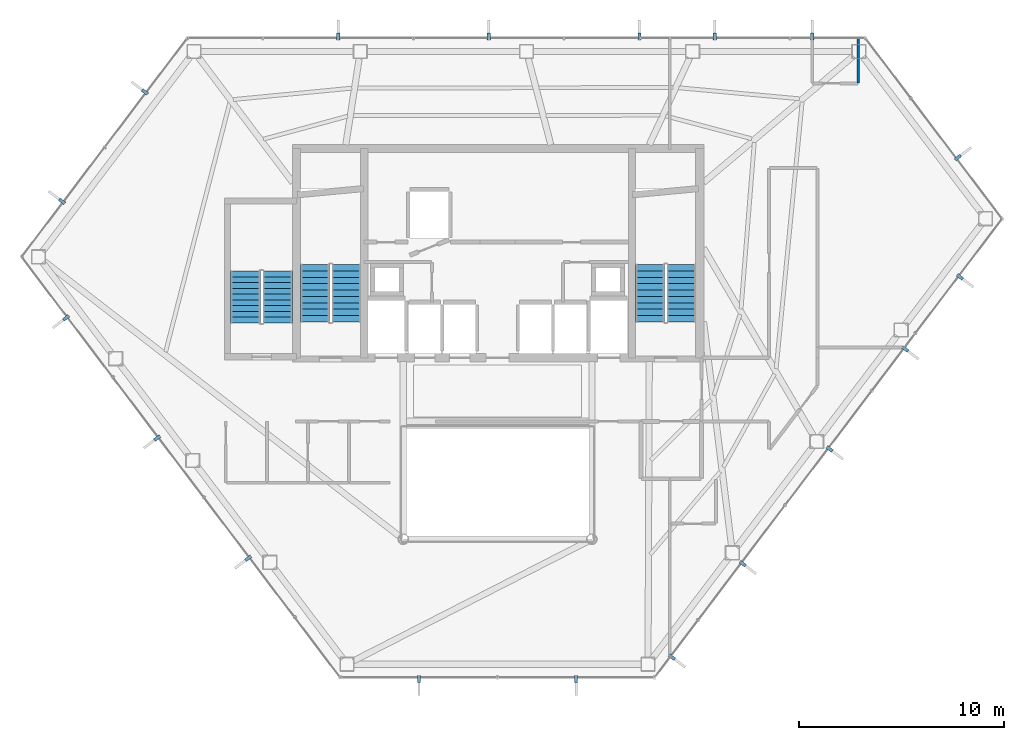
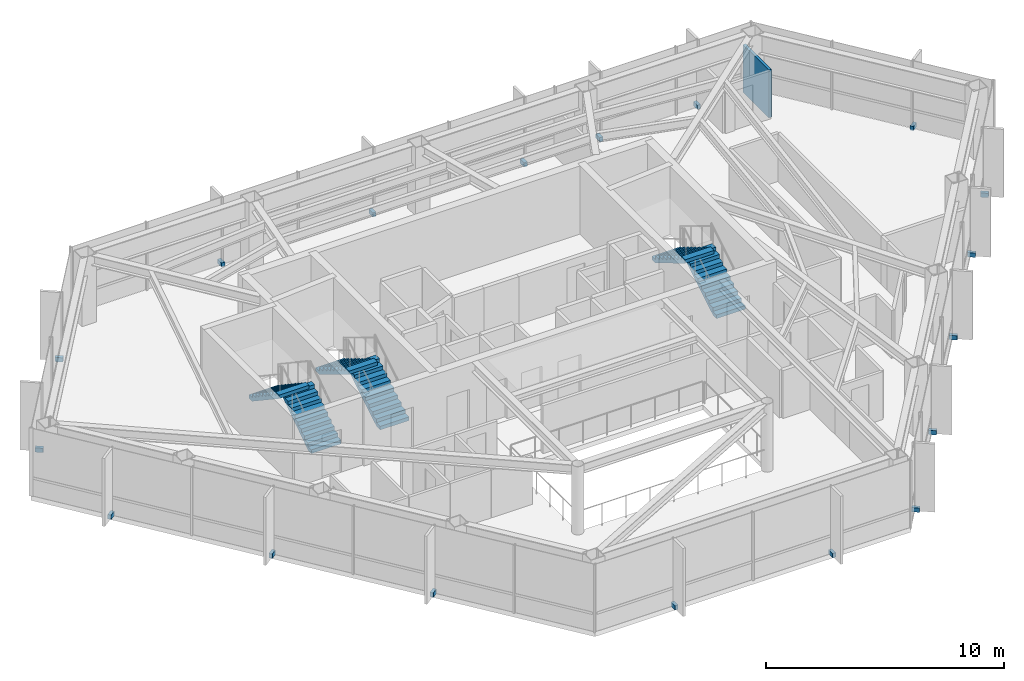
# One storey, part 27 of 28: 18 discrete accessories, 6 stair flights, 1 wall, 3 elements without a shape of their own.
"""IFC4 building model written with IfcOpenShell, lengths in metres."""

from ifc_helpers import new_model, si_unit, direction, frame, frame_2d, origin, origin_2d, place, context, subcontext, project, spatial, polyline, rectangle, outline, extrude, material, layer, layer_set, type_object, element, aggregate, save


model = new_model("IFC4")

# Units and contexts
model_context = context("Model", 3, precision=1e-05, world=origin(), true_north=direction((0.0, 1.0)))
body_context = subcontext(model_context, "Body", "Model", "MODEL_VIEW")
ifc_project = project(units=[si_unit("LENGTHUNIT", "METRE"), si_unit("AREAUNIT", "SQUARE_METRE"), si_unit("VOLUMEUNIT", "CUBIC_METRE"), si_unit("PLANEANGLEUNIT", "RADIAN"), si_unit("MASSUNIT", "GRAM", prefix="KILO")], contexts=[model_context])

# Site, building, storey
site_placement = place(None, origin())
site = spatial("IfcSite", under=ifc_project, at=site_placement, CompositionType="ELEMENT")
building_placement = place(site_placement, origin())
building = spatial("IfcBuilding", under=site, at=building_placement, Name="Zarrinselat Tower", CompositionType="ELEMENT")
storey_placement = place(building_placement, frame((0.0, 0.0, 164.56005859375)))
storey = spatial("IfcBuildingStorey", under=building, at=storey_placement, Name="L40", CompositionType="ELEMENT", Elevation=164.56005859375)

# Wall
ifc_material_1 = material(Name="Fire-Rated Gypsum Board Partition", Category="gypsum")
ifc_layer = layer(ifc_material_1, 0.135009765625)
ifc_layer_set = layer_set([ifc_layer], Name="Fire-Rated Gypsum Board Partition")
wall_type = type_object("IfcWallType", Name="WAL-PART-WET", PredefinedType="PARTITIONING", material=ifc_layer_set)
wall_placement = place(storey_placement, frame((55.99609375, 46.64892578125, 0.0), z_axis=(0.0, 0.0, 1.0), x_axis=(0.0, 1.0, 0.0)))
element("IfcWall", 1, at=wall_placement, inside=storey, type_object=wall_type, Name="L40 Partition Wall 45", PredefinedType="PARTITIONING", context=body_context, shape_type="SweptSolid", body=[
    extrude(rectangle(XDim=2.175048828125, YDim=0.135009765625, at=frame_2d((1.08740234375, 0.0))), origin(), (0.0, 0.0, 1.0), 2.45703125),
])

# Stair, stair flights
ifc_material_2 = material(Name="Concrete C40/50", Category="concrete")
stair_type_1 = type_object("IfcStairType", Name="STR-CORE-145", PredefinedType="HALF_TURN_STAIR", material=ifc_material_2)
stair_1_placement = place(storey_placement, origin())
stair_1 = element("IfcStair", 2, at=stair_1_placement, inside=storey, type_object=stair_type_1, Name="L40 Podium & Mid-Tower Exit Stair 3", PredefinedType="HALF_TURN_STAIR")
ifc_material_3 = material(Name="Concrete C40/50", Category="concrete")
stair_flight_type_1 = type_object("IfcStairFlightType", Name="STR-FLT-145", PredefinedType="STRAIGHT", material=ifc_material_3)
stair_flight_1_placement = place(storey_placement, frame((27.675048828125, 34.949951171875, 0.0), z_axis=(0.0, 0.0, 1.0), x_axis=(0.0, 1.0, 0.0)))
stair_flight_1 = element("IfcStairFlight", 3, at=stair_flight_1_placement, type_object=stair_flight_type_1, Name="ST-3 flight 1", NumberOfRisers=10, NumberOfTreads=9, PredefinedType="STRAIGHT", RiserHeight=0.187, TreadLength=0.28, context=body_context, shape_type="SweptSolid", body=[
    extrude(outline(polyline([(0.0, 0.0), (0.0, 0.18701171875), (0.280029296875, 0.18701171875), (0.280029296875, 0.3740234375), (0.56005859375, 0.3740234375), (0.56005859375, 0.56103515625), (0.840087890625, 0.56103515625), (0.840087890625, 0.748046875), (1.1201171875, 0.748046875), (1.1201171875, 0.93505859375), (1.39990234375, 0.93505859375), (1.39990234375, 1.1220703125), (1.679931640625, 1.1220703125), (1.679931640625, 1.30908203125), (1.9599609375, 1.30908203125), (1.9599609375, 1.49609375), (2.239990234375, 1.49609375), (2.239990234375, 1.68310546875), (2.52001953125, 1.68310546875), (2.52001953125, 1.8701171875), (2.52001953125, 1.502685546875), (0.27001953125, 0.0), (0.0, 0.0)])), frame((0.0, 0.72509765625, 0.0), z_axis=(0.0, -1.0, 0.0), x_axis=(1.0, 0.0, 0.0)), (0.0, 0.0, 1.0), 1.449951171875),
])
stair_flight_2_placement = place(storey_placement, frame((26.10498046875, 37.469970703125, 1.869873046875), z_axis=(0.0, 0.0, 1.0), x_axis=(0.0, -1.0, 0.0)))
stair_flight_2 = element("IfcStairFlight", 4, at=stair_flight_2_placement, type_object=stair_flight_type_1, Name="ST-3 flight 2", NumberOfRisers=10, NumberOfTreads=9, PredefinedType="STRAIGHT", RiserHeight=0.187, TreadLength=0.28, context=body_context, shape_type="SweptSolid", body=[
    extrude(outline(polyline([(0.0, 0.0), (0.0, 0.18701171875), (0.280029296875, 0.18701171875), (0.280029296875, 0.3740234375), (0.56005859375, 0.3740234375), (0.56005859375, 0.56103515625), (0.840087890625, 0.56103515625), (0.840087890625, 0.748046875), (1.1201171875, 0.748046875), (1.1201171875, 0.93505859375), (1.39990234375, 0.93505859375), (1.39990234375, 1.1220703125), (1.679931640625, 1.1220703125), (1.679931640625, 1.30908203125), (1.9599609375, 1.30908203125), (1.9599609375, 1.49609375), (2.239990234375, 1.49609375), (2.239990234375, 1.68310546875), (2.52001953125, 1.68310546875), (2.52001953125, 1.8701171875), (2.52001953125, 1.502685546875), (0.27001953125, 0.0), (0.0, 0.0)])), frame((0.0, 0.72509765625, 0.0), z_axis=(0.0, -1.0, 0.0), x_axis=(1.0, 0.0, 0.0)), (0.0, 0.0, 1.0), 1.449951171875),
])
aggregate(stair_1, [stair_flight_1, stair_flight_2])

ifc_material_4 = material(Name="Concrete C40/50", Category="concrete")
stair_type_2 = type_object("IfcStairType", Name="STR-CORE-155", PredefinedType="HALF_TURN_STAIR", material=ifc_material_4)
stair_2_placement = place(storey_placement, origin())
stair_2 = element("IfcStair", 5, at=stair_2_placement, inside=storey, type_object=stair_type_2, Name="L40 Core Exit Stair 1", PredefinedType="HALF_TURN_STAIR")
ifc_material_5 = material(Name="Concrete C40/50", Category="concrete")
stair_flight_type_2 = type_object("IfcStairFlightType", Name="STR-FLT-155", PredefinedType="STRAIGHT", material=ifc_material_5)
stair_flight_3_placement = place(storey_placement, frame((31.02001953125, 35.0, 0.0), z_axis=(0.0, 0.0, 1.0), x_axis=(0.0, 1.0, 0.0)))
stair_flight_3 = element("IfcStairFlight", 6, at=stair_flight_3_placement, type_object=stair_flight_type_2, Name="ST-1 flight 1", NumberOfRisers=10, NumberOfTreads=9, PredefinedType="STRAIGHT", RiserHeight=0.187, TreadLength=0.31, context=body_context, shape_type="SweptSolid", body=[
    extrude(outline(polyline([(0.0, 0.0), (0.0, 0.18701171875), (0.31005859375, 0.18701171875), (0.31005859375, 0.3740234375), (0.6201171875, 0.3740234375), (0.6201171875, 0.56103515625), (0.929931640625, 0.56103515625), (0.929931640625, 0.748046875), (1.239990234375, 0.748046875), (1.239990234375, 0.93505859375), (1.550048828125, 0.93505859375), (1.550048828125, 1.1220703125), (1.860107421875, 1.1220703125), (1.860107421875, 1.30908203125), (2.169921875, 1.30908203125), (2.169921875, 1.49609375), (2.47998046875, 1.49609375), (2.47998046875, 1.68310546875), (2.7900390625, 1.68310546875), (2.7900390625, 1.8701171875), (2.7900390625, 1.508056640625), (0.290283203125, 0.0), (0.0, 0.0)])), frame((0.0, 0.699951171875, 0.0), z_axis=(0.0, -1.0, 0.0), x_axis=(1.0, 0.0, 0.0)), (0.0, 0.0, 1.0), 1.39990234375),
])
stair_flight_4_placement = place(storey_placement, frame((29.5, 37.7900390625, 1.869873046875), z_axis=(0.0, 0.0, 1.0), x_axis=(0.0, -1.0, 0.0)))
stair_flight_4 = element("IfcStairFlight", 7, at=stair_flight_4_placement, type_object=stair_flight_type_2, Name="ST-1 flight 2", NumberOfRisers=10, NumberOfTreads=9, PredefinedType="STRAIGHT", RiserHeight=0.187, TreadLength=0.31, context=body_context, shape_type="SweptSolid", body=[
    extrude(outline(polyline([(0.0, 0.0), (0.0, 0.18701171875), (0.31005859375, 0.18701171875), (0.31005859375, 0.3740234375), (0.6201171875, 0.3740234375), (0.6201171875, 0.56103515625), (0.929931640625, 0.56103515625), (0.929931640625, 0.748046875), (1.239990234375, 0.748046875), (1.239990234375, 0.93505859375), (1.550048828125, 0.93505859375), (1.550048828125, 1.1220703125), (1.860107421875, 1.1220703125), (1.860107421875, 1.30908203125), (2.169921875, 1.30908203125), (2.169921875, 1.49609375), (2.47998046875, 1.49609375), (2.47998046875, 1.68310546875), (2.7900390625, 1.68310546875), (2.7900390625, 1.8701171875), (2.7900390625, 1.508056640625), (0.290283203125, 0.0), (0.0, 0.0)])), frame((0.0, 0.699951171875, 0.0), z_axis=(0.0, -1.0, 0.0), x_axis=(1.0, 0.0, 0.0)), (0.0, 0.0, 1.0), 1.39990234375),
])
aggregate(stair_2, [stair_flight_3, stair_flight_4])

stair_3_placement = place(storey_placement, origin())
stair_3 = element("IfcStair", 8, at=stair_3_placement, inside=storey, type_object=stair_type_2, Name="L40 Core Exit Stair 2", PredefinedType="HALF_TURN_STAIR")
stair_flight_5_placement = place(storey_placement, frame((47.360107421875, 35.0, 0.0), z_axis=(0.0, 0.0, 1.0), x_axis=(0.0, 1.0, 0.0)))
stair_flight_5 = element("IfcStairFlight", 9, at=stair_flight_5_placement, type_object=stair_flight_type_2, Name="ST-2 flight 1", NumberOfRisers=10, NumberOfTreads=9, PredefinedType="STRAIGHT", RiserHeight=0.187, TreadLength=0.31, context=body_context, shape_type="SweptSolid", body=[
    extrude(outline(polyline([(0.0, 0.0), (0.0, 0.18701171875), (0.31005859375, 0.18701171875), (0.31005859375, 0.3740234375), (0.6201171875, 0.3740234375), (0.6201171875, 0.56103515625), (0.929931640625, 0.56103515625), (0.929931640625, 0.748046875), (1.239990234375, 0.748046875), (1.239990234375, 0.93505859375), (1.550048828125, 0.93505859375), (1.550048828125, 1.1220703125), (1.860107421875, 1.1220703125), (1.860107421875, 1.30908203125), (2.169921875, 1.30908203125), (2.169921875, 1.49609375), (2.47998046875, 1.49609375), (2.47998046875, 1.68310546875), (2.7900390625, 1.68310546875), (2.7900390625, 1.8701171875), (2.7900390625, 1.508056640625), (0.290283203125, 0.0), (0.0, 0.0)])), frame((0.0, 0.699951171875, 0.0), z_axis=(0.0, -1.0, 0.0), x_axis=(1.0, 0.0, 0.0)), (0.0, 0.0, 1.0), 1.39990234375),
])
stair_flight_6_placement = place(storey_placement, frame((45.840087890625, 37.7900390625, 1.869873046875), z_axis=(0.0, 0.0, 1.0), x_axis=(0.0, -1.0, 0.0)))
stair_flight_6 = element("IfcStairFlight", 10, at=stair_flight_6_placement, type_object=stair_flight_type_2, Name="ST-2 flight 2", NumberOfRisers=10, NumberOfTreads=9, PredefinedType="STRAIGHT", RiserHeight=0.187, TreadLength=0.31, context=body_context, shape_type="SweptSolid", body=[
    extrude(outline(polyline([(0.0, 0.0), (0.0, 0.18701171875), (0.31005859375, 0.18701171875), (0.31005859375, 0.3740234375), (0.6201171875, 0.3740234375), (0.6201171875, 0.56103515625), (0.929931640625, 0.56103515625), (0.929931640625, 0.748046875), (1.239990234375, 0.748046875), (1.239990234375, 0.93505859375), (1.550048828125, 0.93505859375), (1.550048828125, 1.1220703125), (1.860107421875, 1.1220703125), (1.860107421875, 1.30908203125), (2.169921875, 1.30908203125), (2.169921875, 1.49609375), (2.47998046875, 1.49609375), (2.47998046875, 1.68310546875), (2.7900390625, 1.68310546875), (2.7900390625, 1.8701171875), (2.7900390625, 1.508056640625), (0.290283203125, 0.0), (0.0, 0.0)])), frame((0.0, 0.699951171875, 0.0), z_axis=(0.0, -1.0, 0.0), x_axis=(1.0, 0.0, 0.0)), (0.0, 0.0, 1.0), 1.39990234375),
])
aggregate(stair_3, [stair_flight_5, stair_flight_6])

# Discrete accessories
ifc_material_6 = material(Name="Steel S355J2", Category="steel")
discrete_accessory_type = type_object("IfcDiscreteAccessoryType", Name="ACC-FIN-BRACKET", PredefinedType="BRACKET", material=ifc_material_6)
for number, where, z_axis, x_axis, name in (
    (11, (53.74609375, 48.908935546875, -0.0498046875), (0.0, 0.0, 1.0), (0.0, 1.0, 0.0), "L40 Fin Fixing Bracket CW-L40-E01-01"),
    (12, (48.99755859375, 48.908935546875, -0.0498046875), (0.0, 0.0, 1.0), (0.0, 1.0, 0.0), "L40 Fin Fixing Bracket CW-L40-E01-03"),
    (13, (45.322998046875, 48.908935546875, -0.0498046875), (0.0, 0.0, 1.0), (0.0, 1.0, 0.0), "L40 Fin Fixing Bracket CW-L40-E01-05"),
    (14, (37.973876953125, 48.908935546875, -0.0498046875), (0.0, 0.0, 1.0), (0.0, 1.0, 0.0), "L40 Fin Fixing Bracket CW-L40-E01-07"),
    (15, (30.62451171875, 48.908935546875, -0.0498046875), (0.0, 0.0, 1.0), (0.0, 1.0, 0.0), "L40 Fin Fixing Bracket CW-L40-E01-09"),
    (16, (21.19921875, 46.21435546875, -0.0498046875), (0.0, 0.0, 1.0), (-0.797094545808, 0.603854523079, 0.0), "L40 Fin Fixing Bracket CW-L40-E02-01"),
    (17, (17.158447265625, 40.88037109375, -0.0498046875), (0.0, 0.0, 1.0), (-0.797094545808, 0.603854523079, 0.0), "L40 Fin Fixing Bracket CW-L40-E02-03"),
    (18, (17.3583984375, 35.19775390625, -0.0498046875), (0.0, 0.0, 1.0), (-0.797091921496, -0.603857987184, 0.0), "L40 Fin Fixing Bracket CW-L40-E03-01"),
    (19, (21.799560546875, 29.33544921875, -0.0498046875), (0.0, 0.0, 1.0), (-0.797091921496, -0.603857987184, 0.0), "L40 Fin Fixing Bracket CW-L40-E03-03"),
    (20, (26.24072265625, 23.47314453125, -0.0498046875), (0.0, 0.0, 1.0), (-0.797091921496, -0.603857987184, 0.0), "L40 Fin Fixing Bracket CW-L40-E03-05"),
    (21, (34.56884765625, 17.583251953125, -0.0498046875), (0.0, 0.0, 1.0), (0.0, -1.0, 0.0), "L40 Fin Fixing Bracket CW-L40-E04-01"),
    (22, (42.231201171875, 17.583251953125, -0.0498046875), (0.0, 0.0, 1.0), (0.0, -1.0, 0.0), "L40 Fin Fixing Bracket CW-L40-E04-03"),
    (23, (46.903564453125, 18.647705078125, -0.0498046875), (0.0, 0.0, 1.0), (0.797091265033, -0.603858853713, 0.0), "L40 Fin Fixing Bracket CW-L40-E05-01"),
    (24, (50.35693359375, 23.2060546875, -0.0498046875), (0.0, 0.0, 1.0), (0.797091265033, -0.603858853713, 0.0), "L40 Fin Fixing Bracket CW-L40-E05-03"),
    (25, (54.595703125, 28.80126953125, -0.0498046875), (0.0, 0.0, 1.0), (0.797091265033, -0.603858853713, 0.0), "L40 Fin Fixing Bracket CW-L40-E05-05"),
    (26, (58.287109375, 33.674072265625, -0.0498046875), (0.0, 0.0, 1.0), (0.797091265033, -0.603858853713, 0.0), "L40 Fin Fixing Bracket CW-L40-E05-07"),
    (27, (60.95361328125, 37.19384765625, -0.0498046875), (0.0, 0.0, 1.0), (0.797091265033, -0.603858853713, 0.0), "L40 Fin Fixing Bracket CW-L40-E05-09"),
    (28, (60.849609375, 43.010986328125, -0.0498046875), (0.0, 0.0, 1.0), (0.797092412227, 0.603857339419, 0.0), "L40 Fin Fixing Bracket CW-L40-E06-01"),
):
    element("IfcDiscreteAccessory", number, at=place(storey_placement, frame(where, z_axis=z_axis, x_axis=x_axis)), inside=storey, type_object=discrete_accessory_type, Name=name, PredefinedType="BRACKET", context=body_context, shape_type="SweptSolid", body=[
        extrude(rectangle(XDim=0.340087890625, YDim=0.159912109375, at=origin_2d()), origin(), (0.0, 0.0, 1.0), 0.219970703125),
    ])

save(model, "model.ifc")
